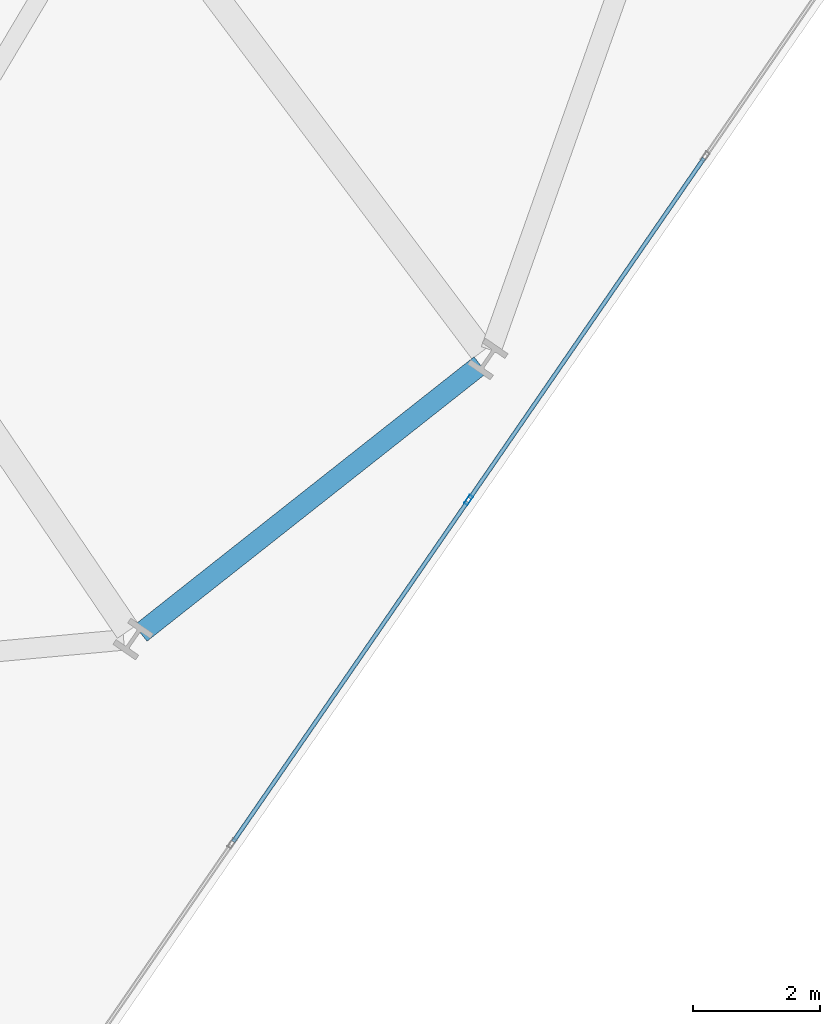
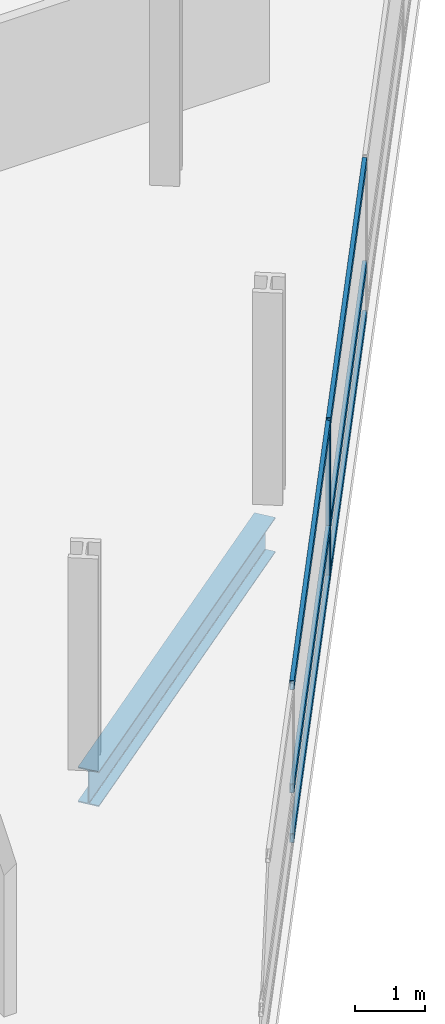
# One storey, part 7 of 24: 7 members, 1 beam, 1 element without a shape of its own.
"""IFC4 building model written with IfcOpenShell, lengths in metres."""

from ifc_helpers import new_model, si_unit, direction, frame, origin, origin_2d, place, context, subcontext, project, spatial, hollow_rectangle, i_section, extrude, material, layer, layer_set, material_profile, profile_set, type_object, element, aggregate, save


model = new_model("IFC4")

# Units and contexts
model_context = context("Model", 3, precision=1e-05, world=origin(), true_north=direction((0.0, 1.0)))
body_context = subcontext(model_context, "Body", "Model", "MODEL_VIEW")
ifc_project = project(units=[si_unit("LENGTHUNIT", "METRE"), si_unit("AREAUNIT", "SQUARE_METRE"), si_unit("VOLUMEUNIT", "CUBIC_METRE"), si_unit("PLANEANGLEUNIT", "RADIAN"), si_unit("MASSUNIT", "GRAM", prefix="KILO")], contexts=[model_context])

# Site, building, storey
site_placement = place(None, origin())
site = spatial("IfcSite", under=ifc_project, at=site_placement, CompositionType="ELEMENT")
building_placement = place(site_placement, origin())
building = spatial("IfcBuilding", under=site, at=building_placement, Name="Varnelok Gate Tower", CompositionType="ELEMENT")
storey_placement = place(building_placement, frame((0.0, 0.0, 41.800048828125)))
storey = spatial("IfcBuildingStorey", under=building, at=storey_placement, Name="L09", CompositionType="ELEMENT", Elevation=41.800048828125)

# Beam
ifc_material_1 = material(Name="Structural Steel ASTM A992 Grade 50", Category="steel")
ifc_material_profile_1 = material_profile(ifc_material_1, i_section(OverallWidth=0.323974609375, OverallDepth=0.611083984375, WebThickness=0.0126953125, FlangeThickness=0.01904296875, FilletRadius=0.01806640625, at=origin_2d()), Name="W24X104")
ifc_profile_set_1 = profile_set([ifc_material_profile_1], Name="Structural Steel ASTM A992 Grade 50")
beam_type = type_object("IfcBeamType", Name="BM-SPN-W24X104", PredefinedType="SPANDREL", material=ifc_profile_set_1)
beam_placement = place(storey_placement, frame((66.202392578125, 1.045654296875, -0.5556640625), z_axis=(0.784860761341, 0.619672159538, 0.0), x_axis=(-0.619672159538, 0.784860761341, 0.0)))
element("IfcBeam", 1, at=beam_placement, inside=storey, type_object=beam_type, Name="L09 Perimeter Spandrel Beam 6", PredefinedType="SPANDREL", context=body_context, shape_type="SweptSolid", body=[
    extrude(i_section(OverallWidth=0.323974609375, OverallDepth=0.611083984375, WebThickness=0.0126953125, FlangeThickness=0.01904296875, FilletRadius=0.01806640625, at=origin_2d()), origin(), (0.0, 0.0, 1.0), 6.81640625),
])

# Curtain wall, members
ifc_material_2 = material(Name="Anodized Aluminum Alloy 6063-T6", Category="aluminium")
ifc_layer = layer(ifc_material_2, 0.179931640625)
ifc_layer_set = layer_set([ifc_layer], Name="Anodized Aluminum Alloy 6063-T6")
curtain_wall_type = type_object("IfcCurtainWallType", Name="CW3-HOTEL-VISION", PredefinedType="USERDEFINED", material=ifc_layer_set)
curtain_wall_placement = place(storey_placement, origin())
curtain_wall = element("IfcCurtainWall", 2, at=curtain_wall_placement, inside=storey, type_object=curtain_wall_type, Name="L09 East End Vision Curtain Wall", ObjectType="UNITISED CURTAIN WALL", PredefinedType="USERDEFINED")
ifc_material_profile_2 = material_profile(ifc_material_2, hollow_rectangle(XDim=0.06494140625, YDim=0.159912109375, WallThickness=0.00390625, at=origin_2d()), Name="ALU160X65X4")
ifc_profile_set_2 = profile_set([ifc_material_profile_2], Name="Anodized Aluminum Alloy 6063-T6")
member_type_1 = type_object("IfcMemberType", Name="CW-MULL-160", PredefinedType="MULLION", material=ifc_profile_set_2)
member_1_placement = place(storey_placement, frame((71.3671875, 3.142578125, 0.0), z_axis=(0.0, 0.0, 1.0), x_axis=(0.823532685111, -0.567268822124, 0.0)))
member_1 = element("IfcMember", 3, at=member_1_placement, type_object=member_type_1, Name="CW3 mullion 4", PredefinedType="MULLION", context=body_context, shape_type="SweptSolid", body=[
    extrude(hollow_rectangle(XDim=0.06494140625, YDim=0.159912109375, WallThickness=0.00390625, at=origin_2d()), origin(), (0.0, 0.0, 1.0), 2.72998046875),
])
ifc_material_profile_3 = material_profile(ifc_material_2, hollow_rectangle(XDim=0.06494140625, YDim=0.159912109375, WallThickness=0.00390625, at=origin_2d()), Name="ALU160X65X4")
ifc_profile_set_3 = profile_set([ifc_material_profile_3], Name="Anodized Aluminum Alloy 6063-T6")
member_type_2 = type_object("IfcMemberType", Name="CW-TRAN-160", PredefinedType="USERDEFINED", material=ifc_profile_set_3)
member_2_placement = place(storey_placement, frame((75.07373046875, 8.523681640625, 0.032470703125), z_axis=(-0.56723619486, -0.82355515859, 0.0), x_axis=(0.82355515859, -0.56723619486, 0.0)))
member_2 = element("IfcMember", 4, at=member_2_placement, type_object=member_type_2, Name="CW3 transom 3.1", ObjectType="TRANSOM", PredefinedType="USERDEFINED", context=body_context, shape_type="SweptSolid", body=[
    extrude(hollow_rectangle(XDim=0.06494140625, YDim=0.159912109375, WallThickness=0.00390625, at=origin_2d()), origin(), (0.0, 0.0, 1.0), 6.501708984375),
])
member_3_placement = place(storey_placement, frame((75.07373046875, 8.523681640625, 0.89990234375), z_axis=(-0.56723619486, -0.82355515859, 0.0), x_axis=(0.82355515859, -0.56723619486, 0.0)))
member_3 = element("IfcMember", 5, at=member_3_placement, type_object=member_type_2, Name="CW3 transom 3.2", ObjectType="TRANSOM", PredefinedType="USERDEFINED", context=body_context, shape_type="SweptSolid", body=[
    extrude(hollow_rectangle(XDim=0.06494140625, YDim=0.159912109375, WallThickness=0.00390625, at=origin_2d()), origin(), (0.0, 0.0, 1.0), 6.501708984375),
])
member_4_placement = place(storey_placement, frame((75.07373046875, 8.523681640625, 2.697509765625), z_axis=(-0.56723619486, -0.82355515859, 0.0), x_axis=(0.82355515859, -0.56723619486, 0.0)))
member_4 = element("IfcMember", 6, at=member_4_placement, type_object=member_type_2, Name="CW3 transom 3.3", ObjectType="TRANSOM", PredefinedType="USERDEFINED", context=body_context, shape_type="SweptSolid", body=[
    extrude(hollow_rectangle(XDim=0.06494140625, YDim=0.159912109375, WallThickness=0.00390625, at=origin_2d()), origin(), (0.0, 0.0, 1.0), 6.501708984375),
])
member_5_placement = place(storey_placement, frame((71.348876953125, 3.11572265625, 0.032470703125), z_axis=(-0.567279204469, -0.823525533409, 0.0), x_axis=(0.823525533409, -0.567279204469, 0.0)))
member_5 = element("IfcMember", 7, at=member_5_placement, type_object=member_type_2, Name="CW3 transom 4.1", ObjectType="TRANSOM", PredefinedType="USERDEFINED", context=body_context, shape_type="SweptSolid", body=[
    extrude(hollow_rectangle(XDim=0.06494140625, YDim=0.159912109375, WallThickness=0.00390625, at=origin_2d()), origin(), (0.0, 0.0, 1.0), 6.501708984375),
])
member_6_placement = place(storey_placement, frame((71.348876953125, 3.11572265625, 0.89990234375), z_axis=(-0.567279204469, -0.823525533409, 0.0), x_axis=(0.823525533409, -0.567279204469, 0.0)))
member_6 = element("IfcMember", 8, at=member_6_placement, type_object=member_type_2, Name="CW3 transom 4.2", ObjectType="TRANSOM", PredefinedType="USERDEFINED", context=body_context, shape_type="SweptSolid", body=[
    extrude(hollow_rectangle(XDim=0.06494140625, YDim=0.159912109375, WallThickness=0.00390625, at=origin_2d()), origin(), (0.0, 0.0, 1.0), 6.501708984375),
])
member_7_placement = place(storey_placement, frame((71.348876953125, 3.11572265625, 2.697509765625), z_axis=(-0.567279204469, -0.823525533409, 0.0), x_axis=(0.823525533409, -0.567279204469, 0.0)))
member_7 = element("IfcMember", 9, at=member_7_placement, type_object=member_type_2, Name="CW3 transom 4.3", ObjectType="TRANSOM", PredefinedType="USERDEFINED", context=body_context, shape_type="SweptSolid", body=[
    extrude(hollow_rectangle(XDim=0.06494140625, YDim=0.159912109375, WallThickness=0.00390625, at=origin_2d()), origin(), (0.0, 0.0, 1.0), 6.501708984375),
])
aggregate(curtain_wall, [member_1, member_2, member_3, member_4, member_5, member_6, member_7])

save(model, "model.ifc")
